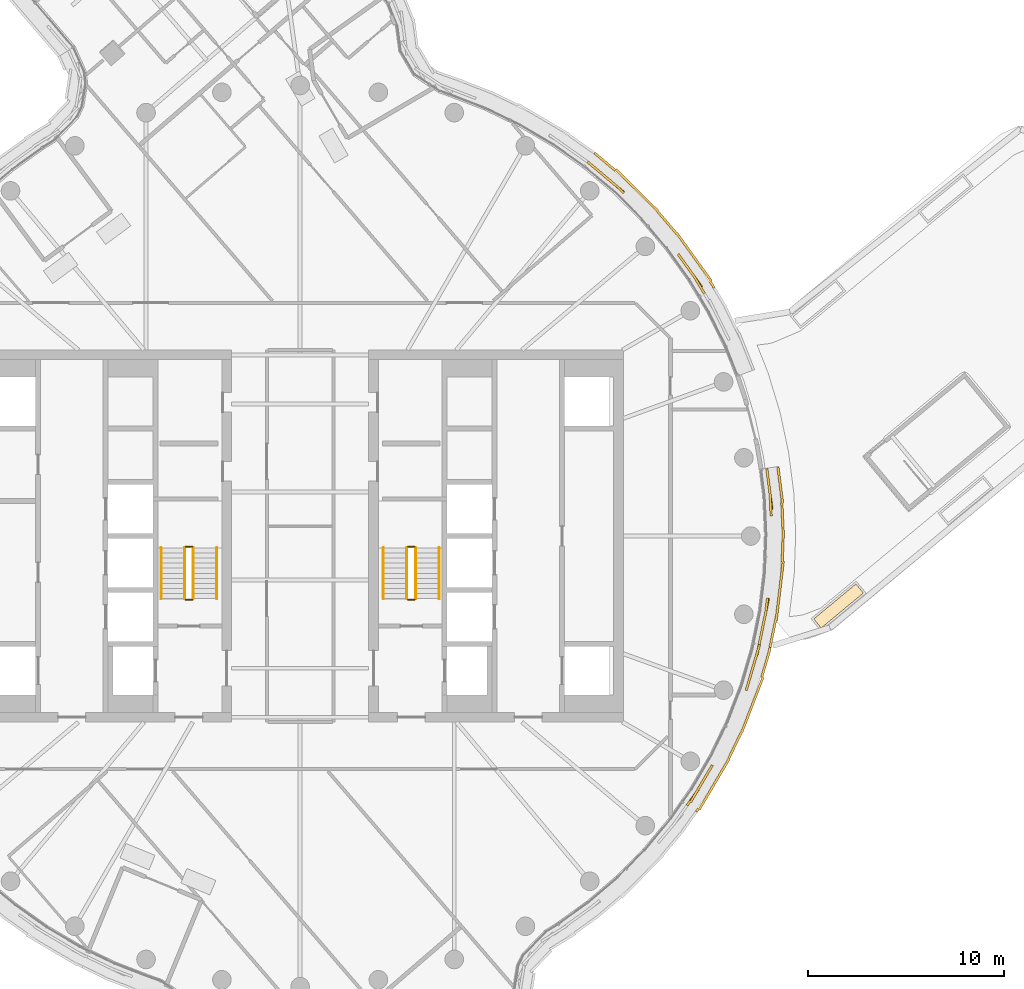
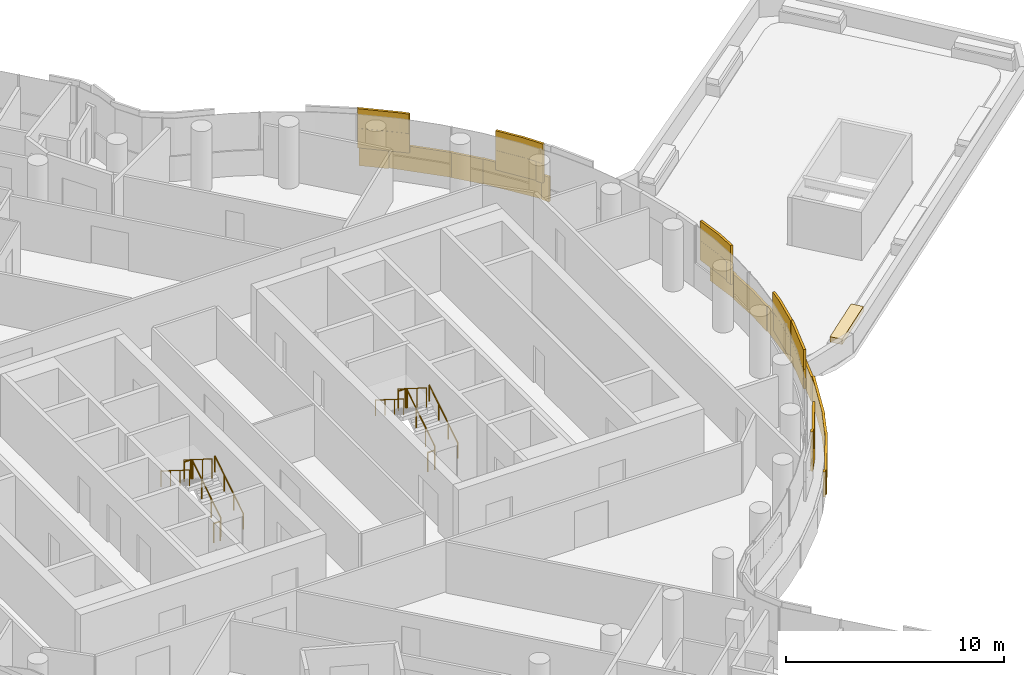
# One storey, part 31 of 34: 12 railings, 4 coverings.
"""IFC4 building model written with IfcOpenShell, lengths in metres."""

from ifc_helpers import new_model, si_unit, direction, frame, origin, origin_2d, place, context, subcontext, project, spatial, rectangle, circle, extrude, material, layer, layer_set, type_object, element, save


model = new_model("IFC4")

# Units and contexts
model_context = context("Model", 3, precision=1e-05, world=origin(), true_north=direction((0.0, 1.0)))
body_context = subcontext(model_context, "Body", "Model", "MODEL_VIEW")
ifc_project = project(units=[si_unit("LENGTHUNIT", "METRE"), si_unit("AREAUNIT", "SQUARE_METRE"), si_unit("VOLUMEUNIT", "CUBIC_METRE"), si_unit("PLANEANGLEUNIT", "RADIAN"), si_unit("MASSUNIT", "GRAM", prefix="KILO")], contexts=[model_context])

# Site, building, storey
site_placement = place(None, origin())
site = spatial("IfcSite", under=ifc_project, at=site_placement, CompositionType="ELEMENT")
building_placement = place(site_placement, origin())
building = spatial("IfcBuilding", under=site, at=building_placement, Name="Tamarind Cross Interchange Tower", CompositionType="ELEMENT")
storey_placement = place(building_placement, frame((0.0, 0.0, 182.5)))
storey = spatial("IfcBuildingStorey", under=building, at=storey_placement, Name="L45", CompositionType="ELEMENT", Elevation=182.5)

# Covering
ifc_material_1 = material(Name="Planting soil and turf")
covering_type_1 = type_object("IfcCoveringType", Name="Planting bed", PredefinedType="USERDEFINED", material=ifc_material_1)
covering_1_placement = place(storey_placement, frame((27.484619140625, -3.569580078125, 0.60009765625), z_axis=(0.0, 0.0, 1.0), x_axis=(0.769372797728, 0.638800045488, 0.0)))
element("IfcCovering", 1, at=covering_1_placement, inside=storey, type_object=covering_type_1, Name="PLB-L45-RTE0-00", ObjectType="Planting bed", PredefinedType="USERDEFINED", context=body_context, shape_type="SweptSolid", body=[
    extrude(rectangle(XDim=2.800048828125, YDim=0.60009765625, at=origin_2d()), origin(), (0.0, 0.0, 1.0), 0.300048828125),
])

# Railings
ifc_material_2 = material(Name="Stair guard")
railing_type_1 = type_object("IfcRailingType", Name="Stair guard", PredefinedType="GUARDRAIL", material=ifc_material_2)
railing_1_placement = place(storey_placement, frame((-5.449951171875, -3.199951171875, 0.16357421875)))
element("IfcRailing", 2, at=railing_1_placement, inside=storey, type_object=railing_type_1, Name="L45 ST1 stair guard 1", PredefinedType="GUARDRAIL", context=body_context, shape_type="SweptSolid", body=[
    extrude(circle(Radius=0.02392578125, at=origin_2d()), frame((0.0, 0.0, 1.076171875), z_axis=(0.0, 0.846301844409, 0.532703658848), x_axis=(-1.0, 0.0, 0.0)), (0.0, 0.0, 1.0), 3.072021484375),
    extrude(circle(Radius=0.02099609375, at=origin_2d()), origin(), (0.0, 0.0, 1.0), 1.052001953125),
    extrude(circle(Radius=0.02099609375, at=origin_2d()), frame((0.0, 0.86669921875, 0.54541015625)), (0.0, 0.0, 1.0), 1.052001953125),
    extrude(circle(Radius=0.02099609375, at=origin_2d()), frame((0.0, 1.733154296875, 1.091064453125)), (0.0, 0.0, 1.0), 1.052001953125),
    extrude(circle(Radius=0.02099609375, at=origin_2d()), frame((0.0, 2.599853515625, 1.636474609375)), (0.0, 0.0, 1.0), 1.052001953125),
])
railing_2_placement = place(storey_placement, frame((-5.5, -0.550048828125, 1.800048828125)))
element("IfcRailing", 3, at=railing_2_placement, inside=storey, type_object=railing_type_1, Name="L45 ST1 stair guard 2", PredefinedType="GUARDRAIL", context=body_context, shape_type="SweptSolid", body=[
    extrude(circle(Radius=0.02392578125, at=origin_2d()), frame((0.0, 0.0, 1.076171875), z_axis=(-1.0, 0.0, 0.0), x_axis=(0.0, -1.0, 0.0)), (0.0, 0.0, 1.0), 0.35009765625),
    extrude(circle(Radius=0.02099609375, at=origin_2d()), origin(), (0.0, 0.0, 1.0), 1.052001953125),
    extrude(circle(Radius=0.02099609375, at=origin_2d()), frame((-0.35009765625, 0.0, 0.0)), (0.0, 0.0, 1.0), 1.052001953125),
])
railing_3_placement = place(storey_placement, frame((-5.89990234375, -0.60009765625, 1.963623046875)))
element("IfcRailing", 4, at=railing_3_placement, inside=storey, type_object=railing_type_1, Name="L45 ST1 stair guard 3", PredefinedType="GUARDRAIL", context=body_context, shape_type="SweptSolid", body=[
    extrude(circle(Radius=0.02392578125, at=origin_2d()), frame((0.0, 0.0, 1.076171875), z_axis=(0.0, -0.846301844409, 0.532703658848), x_axis=(1.0, 0.0, 0.0)), (0.0, 0.0, 1.0), 3.072021484375),
    extrude(circle(Radius=0.02099609375, at=origin_2d()), origin(), (0.0, 0.0, 1.0), 1.052001953125),
    extrude(circle(Radius=0.02099609375, at=origin_2d()), frame((0.0, -0.86669921875, 0.54541015625)), (0.0, 0.0, 1.0), 1.052001953125),
    extrude(circle(Radius=0.02099609375, at=origin_2d()), frame((0.0, -1.733154296875, 1.091064453125)), (0.0, 0.0, 1.0), 1.052001953125),
    extrude(circle(Radius=0.02099609375, at=origin_2d()), frame((0.0, -2.599853515625, 1.636474609375)), (0.0, 0.0, 1.0), 1.052001953125),
])
railing_4_placement = place(storey_placement, frame((-5.5, -3.25, 0.0)))
element("IfcRailing", 5, at=railing_4_placement, inside=storey, type_object=railing_type_1, Name="L45 ST1 stair guard 4", PredefinedType="GUARDRAIL", context=body_context, shape_type="SweptSolid", body=[
    extrude(circle(Radius=0.02392578125, at=origin_2d()), frame((0.0, 0.0, 1.076171875), z_axis=(-1.0, 0.0, 0.0), x_axis=(0.0, -1.0, 0.0)), (0.0, 0.0, 1.0), 0.35009765625),
    extrude(circle(Radius=0.02099609375, at=origin_2d()), origin(), (0.0, 0.0, 1.0), 1.052001953125),
    extrude(circle(Radius=0.02099609375, at=origin_2d()), frame((-0.35009765625, 0.0, 0.0)), (0.0, 0.0, 1.0), 1.052001953125),
])
railing_5_placement = place(storey_placement, frame((5.89990234375, -3.199951171875, 0.16357421875)))
element("IfcRailing", 6, at=railing_5_placement, inside=storey, type_object=railing_type_1, Name="L45 ST2 stair guard 1", PredefinedType="GUARDRAIL", context=body_context, shape_type="SweptSolid", body=[
    extrude(circle(Radius=0.02392578125, at=origin_2d()), frame((0.0, 0.0, 1.076171875), z_axis=(0.0, 0.846301844409, 0.532703658848), x_axis=(-1.0, 0.0, 0.0)), (0.0, 0.0, 1.0), 3.072021484375),
    extrude(circle(Radius=0.02099609375, at=origin_2d()), origin(), (0.0, 0.0, 1.0), 1.052001953125),
    extrude(circle(Radius=0.02099609375, at=origin_2d()), frame((0.0, 0.86669921875, 0.54541015625)), (0.0, 0.0, 1.0), 1.052001953125),
    extrude(circle(Radius=0.02099609375, at=origin_2d()), frame((0.0, 1.733154296875, 1.091064453125)), (0.0, 0.0, 1.0), 1.052001953125),
    extrude(circle(Radius=0.02099609375, at=origin_2d()), frame((0.0, 2.599853515625, 1.636474609375)), (0.0, 0.0, 1.0), 1.052001953125),
])
railing_6_placement = place(storey_placement, frame((5.85009765625, -0.550048828125, 1.800048828125)))
element("IfcRailing", 7, at=railing_6_placement, inside=storey, type_object=railing_type_1, Name="L45 ST2 stair guard 2", PredefinedType="GUARDRAIL", context=body_context, shape_type="SweptSolid", body=[
    extrude(circle(Radius=0.02392578125, at=origin_2d()), frame((0.0, 0.0, 1.076171875), z_axis=(-1.0, 0.0, 0.0), x_axis=(0.0, -1.0, 0.0)), (0.0, 0.0, 1.0), 0.35009765625),
    extrude(circle(Radius=0.02099609375, at=origin_2d()), origin(), (0.0, 0.0, 1.0), 1.052001953125),
    extrude(circle(Radius=0.02099609375, at=origin_2d()), frame((-0.35009765625, 0.0, 0.0)), (0.0, 0.0, 1.0), 1.052001953125),
])
railing_7_placement = place(storey_placement, frame((5.449951171875, -0.60009765625, 1.963623046875)))
element("IfcRailing", 8, at=railing_7_placement, inside=storey, type_object=railing_type_1, Name="L45 ST2 stair guard 3", PredefinedType="GUARDRAIL", context=body_context, shape_type="SweptSolid", body=[
    extrude(circle(Radius=0.02392578125, at=origin_2d()), frame((0.0, 0.0, 1.076171875), z_axis=(0.0, -0.846301844409, 0.532703658848), x_axis=(1.0, 0.0, 0.0)), (0.0, 0.0, 1.0), 3.072021484375),
    extrude(circle(Radius=0.02099609375, at=origin_2d()), origin(), (0.0, 0.0, 1.0), 1.052001953125),
    extrude(circle(Radius=0.02099609375, at=origin_2d()), frame((0.0, -0.86669921875, 0.54541015625)), (0.0, 0.0, 1.0), 1.052001953125),
    extrude(circle(Radius=0.02099609375, at=origin_2d()), frame((0.0, -1.733154296875, 1.091064453125)), (0.0, 0.0, 1.0), 1.052001953125),
    extrude(circle(Radius=0.02099609375, at=origin_2d()), frame((0.0, -2.599853515625, 1.636474609375)), (0.0, 0.0, 1.0), 1.052001953125),
])
railing_8_placement = place(storey_placement, frame((5.85009765625, -3.25, 0.0)))
element("IfcRailing", 9, at=railing_8_placement, inside=storey, type_object=railing_type_1, Name="L45 ST2 stair guard 4", PredefinedType="GUARDRAIL", context=body_context, shape_type="SweptSolid", body=[
    extrude(circle(Radius=0.02392578125, at=origin_2d()), frame((0.0, 0.0, 1.076171875), z_axis=(-1.0, 0.0, 0.0), x_axis=(0.0, -1.0, 0.0)), (0.0, 0.0, 1.0), 0.35009765625),
    extrude(circle(Radius=0.02099609375, at=origin_2d()), origin(), (0.0, 0.0, 1.0), 1.052001953125),
    extrude(circle(Radius=0.02099609375, at=origin_2d()), frame((-0.35009765625, 0.0, 0.0)), (0.0, 0.0, 1.0), 1.052001953125),
])
ifc_material_3 = material(Name="Stair handrail")
railing_type_2 = type_object("IfcRailingType", Name="Stair handrail", PredefinedType="HANDRAIL", material=ifc_material_3)
railing_9_placement = place(storey_placement, frame((-4.25, -3.199951171875, 0.16357421875)))
element("IfcRailing", 10, at=railing_9_placement, inside=storey, type_object=railing_type_2, Name="L45 ST1 stair handrail 1", PredefinedType="HANDRAIL", context=body_context, shape_type="SweptSolid", body=[
    extrude(circle(Radius=0.02392578125, at=origin_2d()), frame((0.0, 0.0, 0.8759765625), z_axis=(0.0, 0.846301844409, 0.532703658848), x_axis=(-1.0, 0.0, 0.0)), (0.0, 0.0, 1.0), 3.072021484375),
    extrude(circle(Radius=0.02099609375, at=origin_2d()), origin(), (0.0, 0.0, 1.0), 0.851806640625),
    extrude(circle(Radius=0.02099609375, at=origin_2d()), frame((0.0, 0.86669921875, 0.54541015625)), (0.0, 0.0, 1.0), 0.851806640625),
    extrude(circle(Radius=0.02099609375, at=origin_2d()), frame((0.0, 1.733154296875, 1.091064453125)), (0.0, 0.0, 1.0), 0.851806640625),
    extrude(circle(Radius=0.02099609375, at=origin_2d()), frame((0.0, 2.599853515625, 1.636474609375)), (0.0, 0.0, 1.0), 0.851806640625),
])
railing_10_placement = place(storey_placement, frame((-7.10009765625, -0.60009765625, 1.963623046875)))
element("IfcRailing", 11, at=railing_10_placement, inside=storey, type_object=railing_type_2, Name="L45 ST1 stair handrail 2", PredefinedType="HANDRAIL", context=body_context, shape_type="SweptSolid", body=[
    extrude(circle(Radius=0.02392578125, at=origin_2d()), frame((0.0, 0.0, 0.8759765625), z_axis=(0.0, -0.846301844409, 0.532703658848), x_axis=(1.0, 0.0, 0.0)), (0.0, 0.0, 1.0), 3.072021484375),
    extrude(circle(Radius=0.02099609375, at=origin_2d()), origin(), (0.0, 0.0, 1.0), 0.851806640625),
    extrude(circle(Radius=0.02099609375, at=origin_2d()), frame((0.0, -0.86669921875, 0.54541015625)), (0.0, 0.0, 1.0), 0.851806640625),
    extrude(circle(Radius=0.02099609375, at=origin_2d()), frame((0.0, -1.733154296875, 1.091064453125)), (0.0, 0.0, 1.0), 0.851806640625),
    extrude(circle(Radius=0.02099609375, at=origin_2d()), frame((0.0, -2.599853515625, 1.636474609375)), (0.0, 0.0, 1.0), 0.851806640625),
])
railing_11_placement = place(storey_placement, frame((7.10009765625, -3.199951171875, 0.16357421875)))
element("IfcRailing", 12, at=railing_11_placement, inside=storey, type_object=railing_type_2, Name="L45 ST2 stair handrail 1", PredefinedType="HANDRAIL", context=body_context, shape_type="SweptSolid", body=[
    extrude(circle(Radius=0.02392578125, at=origin_2d()), frame((0.0, 0.0, 0.8759765625), z_axis=(0.0, 0.846301844409, 0.532703658848), x_axis=(-1.0, 0.0, 0.0)), (0.0, 0.0, 1.0), 3.072021484375),
    extrude(circle(Radius=0.02099609375, at=origin_2d()), origin(), (0.0, 0.0, 1.0), 0.851806640625),
    extrude(circle(Radius=0.02099609375, at=origin_2d()), frame((0.0, 0.86669921875, 0.54541015625)), (0.0, 0.0, 1.0), 0.851806640625),
    extrude(circle(Radius=0.02099609375, at=origin_2d()), frame((0.0, 1.733154296875, 1.091064453125)), (0.0, 0.0, 1.0), 0.851806640625),
    extrude(circle(Radius=0.02099609375, at=origin_2d()), frame((0.0, 2.599853515625, 1.636474609375)), (0.0, 0.0, 1.0), 0.851806640625),
])
railing_12_placement = place(storey_placement, frame((4.25, -0.60009765625, 1.963623046875)))
element("IfcRailing", 13, at=railing_12_placement, inside=storey, type_object=railing_type_2, Name="L45 ST2 stair handrail 2", PredefinedType="HANDRAIL", context=body_context, shape_type="SweptSolid", body=[
    extrude(circle(Radius=0.02392578125, at=origin_2d()), frame((0.0, 0.0, 0.8759765625), z_axis=(0.0, -0.846301844409, 0.532703658848), x_axis=(1.0, 0.0, 0.0)), (0.0, 0.0, 1.0), 3.072021484375),
    extrude(circle(Radius=0.02099609375, at=origin_2d()), origin(), (0.0, 0.0, 1.0), 0.851806640625),
    extrude(circle(Radius=0.02099609375, at=origin_2d()), frame((0.0, -0.86669921875, 0.54541015625)), (0.0, 0.0, 1.0), 0.851806640625),
    extrude(circle(Radius=0.02099609375, at=origin_2d()), frame((0.0, -1.733154296875, 1.091064453125)), (0.0, 0.0, 1.0), 0.851806640625),
    extrude(circle(Radius=0.02099609375, at=origin_2d()), frame((0.0, -2.599853515625, 1.636474609375)), (0.0, 0.0, 1.0), 0.851806640625),
])

# Coverings
ifc_material_4 = material(Name="Terracotta", Category="masonry")
ifc_layer = layer(ifc_material_4, 0.1201171875)
ifc_layer_set = layer_set([ifc_layer], Name="Terracotta")
covering_type_2 = type_object("IfcCoveringType", Name="Terracotta baguette screen unit", PredefinedType="MOLDING", material=ifc_layer_set)
covering_2_placement = place(storey_placement, origin())
element("IfcCovering", 14, at=covering_2_placement, inside=storey, type_object=covering_type_2, Name="SCR-L45-10-01", PredefinedType="MOLDING", context=body_context, shape_type="SweptSolid", body=[
    extrude(rectangle(XDim=1.0107421875, YDim=0.1201171875, at=origin_2d()), frame((20.042724609375, -13.33837890625, 1.40380859375), z_axis=(0.0, 0.0, 1.0), x_axis=(0.577568978284, 0.816341886298, 0.0)), (0.0, 0.0, 1.0), 1.092041015625),
    extrude(rectangle(XDim=1.4306640625, YDim=0.1201171875, at=origin_2d()), frame((20.67919921875, -12.309326171875, 1.40380859375), z_axis=(0.0, 0.0, 1.0), x_axis=(0.508183308752, 0.861248933065, 0.0)), (0.0, 0.0, 1.0), 1.092041015625),
    extrude(rectangle(XDim=0.389404296875, YDim=0.1201171875, at=origin_2d()), frame((22.822998046875, -7.693115234375, 1.40380859375), z_axis=(0.0, 0.0, 1.0), x_axis=(0.281208920763, 0.95964657186, 0.0)), (0.0, 0.0, 1.0), 1.092041015625),
    extrude(rectangle(XDim=1.52001953125, YDim=0.1201171875, at=origin_2d()), frame((23.08740234375, -6.79150390625, 1.40380859375), z_axis=(0.0, 0.0, 1.0), x_axis=(0.281208920763, 0.95964657186, 0.0)), (0.0, 0.0, 1.0), 1.092041015625),
    extrude(rectangle(XDim=0.552001953125, YDim=0.1201171875, at=origin_2d()), frame((23.374267578125, -5.811767578125, 1.40380859375), z_axis=(0.0, 0.0, 1.0), x_axis=(0.201001463943, 0.9795909409, 0.0)), (0.0, 0.0, 1.0), 1.092041015625),
    extrude(rectangle(XDim=0.2607421875, YDim=0.1201171875, at=origin_2d()), frame((19.826171875, -13.64453125, 2.50390625), z_axis=(0.0, 0.0, 1.0), x_axis=(0.577568978284, 0.816341886298, 0.0)), (0.0, 0.0, 1.0), 1.092041015625),
    extrude(rectangle(XDim=1.52001953125, YDim=0.1201171875, at=origin_2d()), frame((20.318359375, -12.921142578125, 2.50390625), z_axis=(0.0, 0.0, 1.0), x_axis=(0.508183308752, 0.861248933065, 0.0)), (0.0, 0.0, 1.0), 1.092041015625),
    extrude(rectangle(XDim=0.6806640625, YDim=0.1201171875, at=origin_2d()), frame((20.869873046875, -11.986328125, 2.50390625), z_axis=(0.0, 0.0, 1.0), x_axis=(0.508183308752, 0.861248933065, 0.0)), (0.0, 0.0, 1.0), 1.092041015625),
    extrude(rectangle(XDim=1.139404296875, YDim=0.1201171875, at=origin_2d()), frame((22.928466796875, -7.333251953125, 2.50390625), z_axis=(0.0, 0.0, 1.0), x_axis=(0.281208920763, 0.95964657186, 0.0)), (0.0, 0.0, 1.0), 1.092041015625),
    extrude(rectangle(XDim=1.302001953125, YDim=0.1201171875, at=origin_2d()), frame((23.26904296875, -6.171630859375, 2.50390625), z_axis=(0.0, 0.0, 1.0), x_axis=(0.281208920763, 0.95964657186, 0.0)), (0.0, 0.0, 1.0), 1.092041015625),
    extrude(rectangle(XDim=0.18994140625, YDim=0.1201171875, at=origin_2d()), frame((20.27978515625, -13.9970703125, 0.00390625), z_axis=(0.0, 0.0, 1.0), x_axis=(0.577568978284, 0.816341886298, 0.0)), (0.0, 0.0, 1.0), 1.39208984375),
    extrude(rectangle(XDim=1.52001953125, YDim=0.1201171875, at=origin_2d()), frame((20.7548828125, -13.31103515625, 0.00390625), z_axis=(0.0, 0.0, 1.0), x_axis=(0.508183308752, 0.861248933065, 0.0)), (0.0, 0.0, 1.0), 1.39208984375),
    extrude(rectangle(XDim=1.52001953125, YDim=0.1201171875, at=origin_2d()), frame((21.51708984375, -12.01904296875, 0.00390625), z_axis=(0.0, 0.0, 1.0), x_axis=(0.508183308752, 0.861248933065, 0.0)), (0.0, 0.0, 1.0), 1.39208984375),
    extrude(rectangle(XDim=1.52001953125, YDim=0.1201171875, at=origin_2d()), frame((22.201904296875, -10.685791015625, 0.00390625), z_axis=(0.0, 0.0, 1.0), x_axis=(0.435326231914, 0.900272776334, 0.0)), (0.0, 0.0, 1.0), 1.39208984375),
    extrude(rectangle(XDim=1.52001953125, YDim=0.1201171875, at=origin_2d()), frame((22.81494140625, -9.31787109375, 0.00390625), z_axis=(0.0, 0.0, 1.0), x_axis=(0.359495435512, 0.933146843667, 0.0)), (0.0, 0.0, 1.0), 1.39208984375),
    extrude(rectangle(XDim=1.52001953125, YDim=0.1201171875, at=origin_2d()), frame((23.354248046875, -7.918212890625, 0.00390625), z_axis=(0.0, 0.0, 1.0), x_axis=(0.359495435512, 0.933146843667, 0.0)), (0.0, 0.0, 1.0), 1.39208984375),
    extrude(rectangle(XDim=1.52001953125, YDim=0.1201171875, at=origin_2d()), frame((23.77685546875, -6.47900390625, 0.00390625), z_axis=(0.0, 0.0, 1.0), x_axis=(0.281208920763, 0.95964657186, 0.0)), (0.0, 0.0, 1.0), 1.39208984375),
    extrude(rectangle(XDim=0.088623046875, YDim=0.1201171875, at=origin_2d()), frame((23.978759765625, -5.721923828125, 0.00390625), z_axis=(0.0, 0.0, 1.0), x_axis=(0.201001463943, 0.9795909409, 0.0)), (0.0, 0.0, 1.0), 1.39208984375),
])
covering_3_placement = place(storey_placement, origin())
element("IfcCovering", 15, at=covering_3_placement, inside=storey, type_object=covering_type_2, Name="SCR-L45-10-02", PredefinedType="MOLDING", context=body_context, shape_type="SweptSolid", body=[
    extrude(rectangle(XDim=0.968017578125, YDim=0.1201171875, at=origin_2d()), frame((23.525146484375, -5.076904296875, 1.40380859375), z_axis=(0.0, 0.0, 1.0), x_axis=(0.201001463943, 0.9795909409, 0.0)), (0.0, 0.0, 1.0), 1.092041015625),
    extrude(rectangle(XDim=1.4736328125, YDim=0.1201171875, at=origin_2d()), frame((23.7685546875, -3.890869140625, 1.40380859375), z_axis=(0.0, 0.0, 1.0), x_axis=(0.201001463943, 0.9795909409, 0.0)), (0.0, 0.0, 1.0), 1.092041015625),
    extrude(rectangle(XDim=0.34619140625, YDim=0.1201171875, at=origin_2d()), frame((24.0361328125, 1.19189453125, 1.40380859375), z_axis=(0.0, 0.0, 1.0), x_axis=(-0.045624486728, 0.998958660912, 0.0)), (0.0, 0.0, 1.0), 1.092041015625),
    extrude(rectangle(XDim=1.52001953125, YDim=0.1201171875, at=origin_2d()), frame((23.992919921875, 2.10888671875, 1.40380859375), z_axis=(0.0, 0.0, 1.0), x_axis=(-0.127962008342, 0.991779070368, 0.0)), (0.0, 0.0, 1.0), 1.092041015625),
    extrude(rectangle(XDim=0.595458984375, YDim=0.1201171875, at=origin_2d()), frame((23.859375, 3.14306640625, 1.40380859375), z_axis=(0.0, 0.0, 1.0), x_axis=(-0.127962008342, 0.991779070368, 0.0)), (0.0, 0.0, 1.0), 1.092041015625),
    extrude(rectangle(XDim=0.218017578125, YDim=0.1201171875, at=origin_2d()), frame((23.44970703125, -5.4443359375, 2.50390625), z_axis=(0.0, 0.0, 1.0), x_axis=(0.201001463943, 0.9795909409, 0.0)), (0.0, 0.0, 1.0), 1.092041015625),
    extrude(rectangle(XDim=1.52001953125, YDim=0.1201171875, at=origin_2d()), frame((23.621337890625, -4.607666015625, 2.50390625), z_axis=(0.0, 0.0, 1.0), x_axis=(0.201001463943, 0.9795909409, 0.0)), (0.0, 0.0, 1.0), 1.092041015625),
    extrude(rectangle(XDim=0.7236328125, YDim=0.1201171875, at=origin_2d()), frame((23.815673828125, -3.518798828125, 2.50390625), z_axis=(0.0, 0.0, 1.0), x_axis=(0.119420963295, 0.992843710523, 0.0)), (0.0, 0.0, 1.0), 1.092041015625),
    extrude(rectangle(XDim=1.09619140625, YDim=0.1201171875, at=origin_2d()), frame((24.01904296875, 1.56640625, 2.50390625), z_axis=(0.0, 0.0, 1.0), x_axis=(-0.045624486728, 0.998958660912, 0.0)), (0.0, 0.0, 1.0), 1.092041015625),
    extrude(rectangle(XDim=1.345458984375, YDim=0.1201171875, at=origin_2d()), frame((23.907470703125, 2.77099609375, 2.50390625), z_axis=(0.0, 0.0, 1.0), x_axis=(-0.127962008342, 0.991779070368, 0.0)), (0.0, 0.0, 1.0), 1.092041015625),
    extrude(rectangle(XDim=1.431396484375, YDim=0.1201171875, at=origin_2d()), frame((24.131591796875, -4.977294921875, 0.00390625), z_axis=(0.0, 0.0, 1.0), x_axis=(0.201001463943, 0.9795909409, 0.0)), (0.0, 0.0, 1.0), 1.39208984375),
    extrude(rectangle(XDim=1.52001953125, YDim=0.1201171875, at=origin_2d()), frame((24.390625, -3.5458984375, 0.00390625), z_axis=(0.0, 0.0, 1.0), x_axis=(0.119420963295, 0.992843710523, 0.0)), (0.0, 0.0, 1.0), 1.39208984375),
    extrude(rectangle(XDim=1.52001953125, YDim=0.1201171875, at=origin_2d()), frame((24.569580078125, -2.056640625, 0.00390625), z_axis=(0.0, 0.0, 1.0), x_axis=(0.119420963295, 0.992843710523, 0.0)), (0.0, 0.0, 1.0), 1.39208984375),
    extrude(rectangle(XDim=1.52001953125, YDim=0.1201171875, at=origin_2d()), frame((24.6357421875, -0.558349609375, 0.00390625), z_axis=(0.0, 0.0, 1.0), x_axis=(0.037024696392, 0.999314350871, 0.0)), (0.0, 0.0, 1.0), 1.39208984375),
    extrude(rectangle(XDim=1.52001953125, YDim=0.1201171875, at=origin_2d()), frame((24.622314453125, 0.940185546875, 0.00390625), z_axis=(0.0, 0.0, 1.0), x_axis=(-0.045624486728, 0.998958660912, 0.0)), (0.0, 0.0, 1.0), 1.39208984375),
    extrude(rectangle(XDim=1.52001953125, YDim=0.1201171875, at=origin_2d()), frame((24.529296875, 2.4365234375, 0.00390625), z_axis=(0.0, 0.0, 1.0), x_axis=(-0.127962008342, 0.991779070368, 0.0)), (0.0, 0.0, 1.0), 1.39208984375),
    extrude(rectangle(XDim=0.34765625, YDim=0.1201171875, at=origin_2d()), frame((24.412353515625, 3.3427734375, 0.00390625), z_axis=(0.0, 0.0, 1.0), x_axis=(-0.127962008342, 0.991779070368, 0.0)), (0.0, 0.0, 1.0), 1.39208984375),
])
covering_4_placement = place(storey_placement, origin())
element("IfcCovering", 16, at=covering_4_placement, inside=storey, type_object=covering_type_2, Name="SCR-L45-10-04", PredefinedType="MOLDING", context=body_context, shape_type="SweptSolid", body=[
    extrude(rectangle(XDim=0.369140625, YDim=0.1201171875, at=origin_2d()), frame((20.549072265625, 12.526123046875, 1.40380859375), z_axis=(0.0, 0.0, 1.0), x_axis=(-0.515577308909, 0.856843065292, 0.0)), (0.0, 0.0, 1.0), 1.092041015625),
    extrude(rectangle(XDim=1.52001953125, YDim=0.1201171875, at=origin_2d()), frame((20.064697265625, 13.3193359375, 1.40380859375), z_axis=(0.0, 0.0, 1.0), x_axis=(-0.584573890505, 0.811340475102, 0.0)), (0.0, 0.0, 1.0), 1.092041015625),
    extrude(rectangle(XDim=0.572265625, YDim=0.1201171875, at=origin_2d()), frame((19.4619140625, 14.156005859375, 1.40380859375), z_axis=(0.0, 0.0, 1.0), x_axis=(-0.584573890505, 0.811340475102, 0.0)), (0.0, 0.0, 1.0), 1.092041015625),
    extrude(rectangle(XDim=1.247802734375, YDim=0.1201171875, at=origin_2d()), frame((16.059326171875, 17.939453125, 1.40380859375), z_axis=(0.0, 0.0, 1.0), x_axis=(-0.765858396687, 0.643009266048, 0.0)), (0.0, 0.0, 1.0), 1.092041015625),
    extrude(rectangle(XDim=1.193603515625, YDim=0.1201171875, at=origin_2d()), frame((15.132080078125, 18.718017578125, 1.40380859375), z_axis=(0.0, 0.0, 1.0), x_axis=(-0.765858396687, 0.643009266048, 0.0)), (0.0, 0.0, 1.0), 1.092041015625),
    extrude(rectangle(XDim=1.119140625, YDim=0.1201171875, at=origin_2d()), frame((20.355712890625, 12.847412109375, 2.50390625), z_axis=(0.0, 0.0, 1.0), x_axis=(-0.515577308909, 0.856843065292, 0.0)), (0.0, 0.0, 1.0), 1.092041015625),
    extrude(rectangle(XDim=1.322265625, YDim=0.1201171875, at=origin_2d()), frame((19.68115234375, 13.8515625, 2.50390625), z_axis=(0.0, 0.0, 1.0), x_axis=(-0.584573890505, 0.811340475102, 0.0)), (0.0, 0.0, 1.0), 1.092041015625),
    extrude(rectangle(XDim=0.497802734375, YDim=0.1201171875, at=origin_2d()), frame((16.338623046875, 17.689697265625, 2.50390625), z_axis=(0.0, 0.0, 1.0), x_axis=(-0.710143317658, 0.704057148523, 0.0)), (0.0, 0.0, 1.0), 1.092041015625),
    extrude(rectangle(XDim=1.52001953125, YDim=0.1201171875, at=origin_2d()), frame((15.58544921875, 18.33740234375, 2.50390625), z_axis=(0.0, 0.0, 1.0), x_axis=(-0.765858396687, 0.643009266048, 0.0)), (0.0, 0.0, 1.0), 1.092041015625),
    extrude(rectangle(XDim=0.443603515625, YDim=0.1201171875, at=origin_2d()), frame((14.844970703125, 18.959228515625, 2.50390625), z_axis=(0.0, 0.0, 1.0), x_axis=(-0.765858396687, 0.643009266048, 0.0)), (0.0, 0.0, 1.0), 1.092041015625),
    extrude(rectangle(XDim=0.388916015625, YDim=0.1201171875, at=origin_2d()), frame((21.03369140625, 12.833984375, 0.00390625), z_axis=(0.0, 0.0, 1.0), x_axis=(-0.515577308909, 0.856843065292, 0.0)), (0.0, 0.0, 1.0), 1.39208984375),
    extrude(rectangle(XDim=1.52001953125, YDim=0.1201171875, at=origin_2d()), frame((20.547119140625, 13.631591796875, 0.00390625), z_axis=(0.0, 0.0, 1.0), x_axis=(-0.584573890505, 0.811340475102, 0.0)), (0.0, 0.0, 1.0), 1.39208984375),
    extrude(rectangle(XDim=1.52001953125, YDim=0.1201171875, at=origin_2d()), frame((19.67041015625, 14.8486328125, 0.00390625), z_axis=(0.0, 0.0, 1.0), x_axis=(-0.584573890505, 0.811340475102, 0.0)), (0.0, 0.0, 1.0), 1.39208984375),
    extrude(rectangle(XDim=1.52001953125, YDim=0.1201171875, at=origin_2d()), frame((18.7265625, 16.01318359375, 0.00390625), z_axis=(0.0, 0.0, 1.0), x_axis=(-0.64957723968, 0.760295606781, 0.0)), (0.0, 0.0, 1.0), 1.39208984375),
    extrude(rectangle(XDim=1.52001953125, YDim=0.1201171875, at=origin_2d()), frame((17.722412109375, 17.1259765625, 0.00390625), z_axis=(0.0, 0.0, 1.0), x_axis=(-0.710143317658, 0.704057148523, 0.0)), (0.0, 0.0, 1.0), 1.39208984375),
    extrude(rectangle(XDim=1.52001953125, YDim=0.1201171875, at=origin_2d()), frame((16.6572265625, 18.181884765625, 0.00390625), z_axis=(0.0, 0.0, 1.0), x_axis=(-0.710143317658, 0.704057148523, 0.0)), (0.0, 0.0, 1.0), 1.39208984375),
    extrude(rectangle(XDim=1.3896484375, YDim=0.1201171875, at=origin_2d()), frame((15.56103515625, 19.107421875, 0.00390625), z_axis=(0.0, 0.0, 1.0), x_axis=(-0.765858396687, 0.643009266048, 0.0)), (0.0, 0.0, 1.0), 1.39208984375),
])

save(model, "model.ifc")
